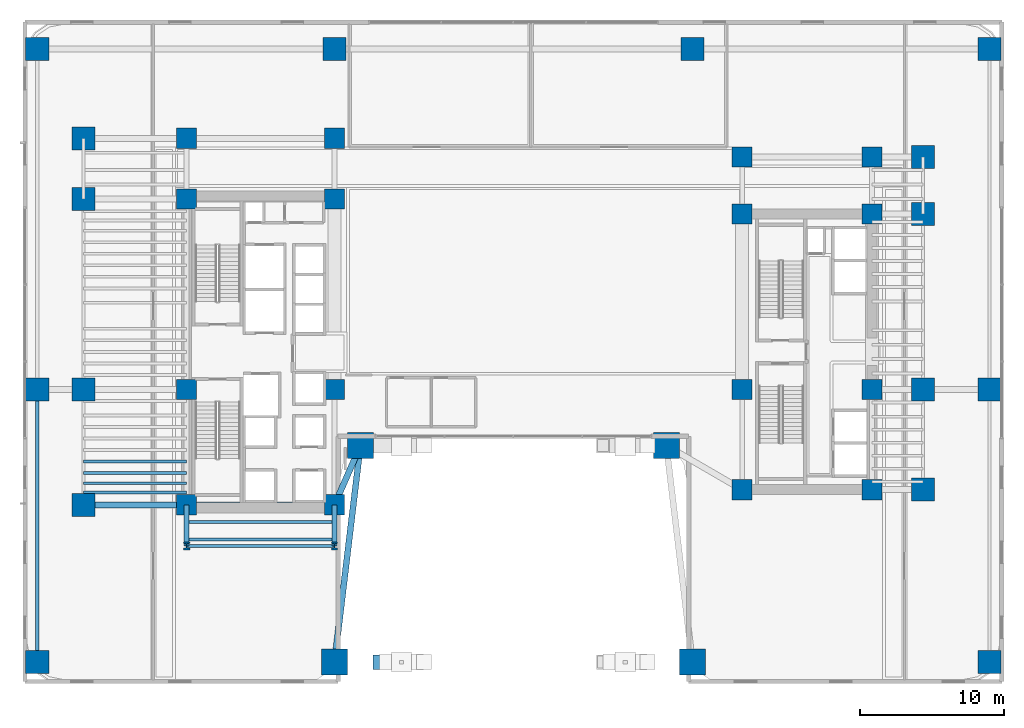
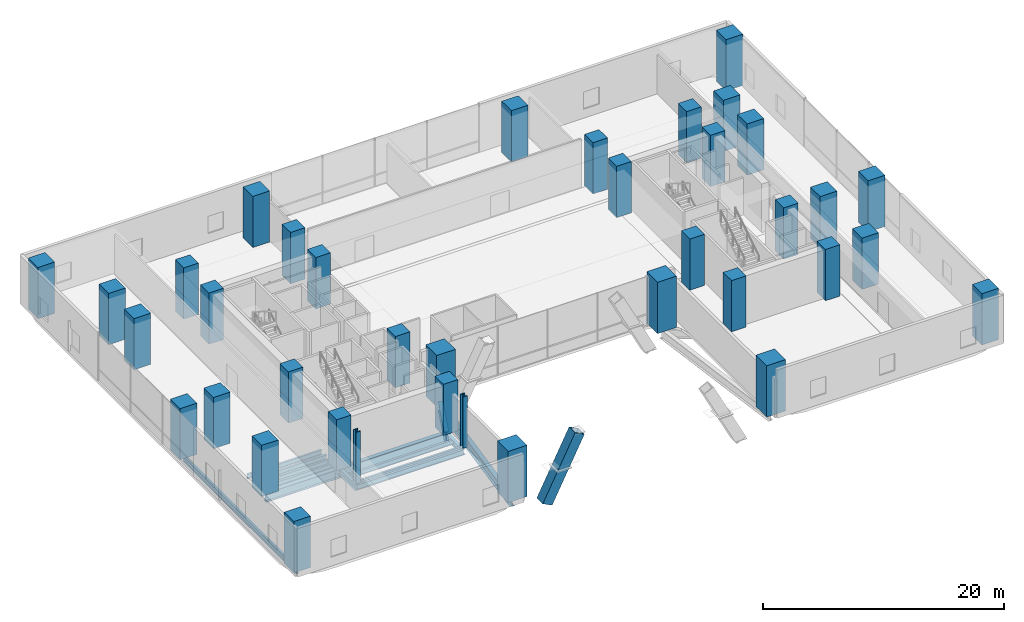
# One storey, part 1 of 39: 38 columns, 14 beams, 1 member.
"""IFC4 building model written with IfcOpenShell, lengths in metres."""

from ifc_helpers import new_model, si_unit, direction, frame, origin, origin_2d, place, context, subcontext, project, spatial, rectangle, hollow_rectangle, i_section, extrude, source, transform, mapped, material, material_profile, profile_set, type_object, element, save


model = new_model("IFC4")

# Units and contexts
model_context = context("Model", 3, precision=1e-05, world=origin(), true_north=direction((0.0, 1.0)))
body_context = subcontext(model_context, "Body", "Model", "MODEL_VIEW")
ifc_project = project(units=[si_unit("LENGTHUNIT", "METRE"), si_unit("AREAUNIT", "SQUARE_METRE"), si_unit("VOLUMEUNIT", "CUBIC_METRE"), si_unit("PLANEANGLEUNIT", "RADIAN"), si_unit("MASSUNIT", "GRAM", prefix="KILO")], contexts=[model_context])

# Site, building, storey
site_placement = place(None, origin())
site = spatial("IfcSite", under=ifc_project, at=site_placement, CompositionType="ELEMENT")
building_placement = place(site_placement, origin())
building = spatial("IfcBuilding", under=site, at=building_placement, Name="Valdorenza Pilgrim Sanctuary Tower", CompositionType="ELEMENT")
storey_placement = place(building_placement, frame((0.0, 0.0, 10.39990234375)))
storey = spatial("IfcBuildingStorey", under=building, at=storey_placement, Name="L02", CompositionType="ELEMENT", Elevation=10.39990234375)

# Columns
ifc_material_1 = material(Name="Concrete C60/75", Category="concrete")
ifc_material_profile_1 = material_profile(ifc_material_1, rectangle(XDim=1.60009765625, YDim=1.60009765625, at=origin_2d()), Name="RC 1600x1600")
ifc_profile_set_1 = profile_set([ifc_material_profile_1], Name="Concrete C60/75")
column_type_1 = type_object("IfcColumnType", Name="COL-POD-1600", PredefinedType="COLUMN", material=ifc_profile_set_1)
shared_shape_1 = source(origin(), body_context, "Body", "SweptSolid", [
    extrude(rectangle(XDim=1.60009765625, YDim=1.60009765625, at=origin_2d()), origin(), (0.0, 0.0, 1.0), 5.2001953125),
])
for number, where, z_axis, x_axis, name in (
    (1, (-29.800048828125, -10.60009765625, 0.0), (0.0, 0.0, 1.0), (1.0, 0.0, 0.0), "L02 Perimeter Column WA-W-S1"),
    (2, (-29.800048828125, -2.60009765625, 0.0), (0.0, 0.0, 1.0), (1.0, 0.0, 0.0), "L02 Perimeter Column WA-W-M0"),
    (3, (-29.800048828125, 10.60009765625, 0.0), (0.0, 0.0, 1.0), (1.0, 0.0, 0.0), "L02 Perimeter Column WA-W-N1"),
    (4, (-29.800048828125, 14.800048828125, 0.0), (0.0, 0.0, 1.0), (1.0, 0.0, 0.0), "L02 Perimeter Column WA-W-N2"),
    (5, (28.39990234375, -9.550048828125, 0.0), (0.0, 0.0, 1.0), (1.0, 0.0, 0.0), "L02 Perimeter Column WB-E-S1"),
    (6, (28.39990234375, -2.60009765625, 0.0), (0.0, 0.0, 1.0), (1.0, 0.0, 0.0), "L02 Perimeter Column WB-E-M0"),
    (7, (28.39990234375, 9.550048828125, 0.0), (0.0, 0.0, 1.0), (1.0, 0.0, 0.0), "L02 Perimeter Column WB-E-N1"),
    (8, (28.39990234375, 13.5, 0.0), (0.0, 0.0, 1.0), (1.0, 0.0, 0.0), "L02 Perimeter Column WB-E-N2"),
    (9, (-33.0, -21.5, 0.0), (0.0, 0.0, 1.0), (1.0, 0.0, 0.0), "L02 Perimeter Column POD-SW"),
    (10, (-33.0, -2.60009765625, 0.0), (0.0, 0.0, 1.0), (1.0, 0.0, 0.0), "L02 Perimeter Column POD-MW"),
    (11, (-33.0, 21.0, 0.0), (0.0, 0.0, 1.0), (1.0, 0.0, 0.0), "L02 Perimeter Column POD-NW"),
    (12, (-12.39990234375, 21.0, 0.0), (0.0, 0.0, 1.0), (1.0, 0.0, 0.0), "L02 Perimeter Column POD-NCW"),
    (13, (12.39990234375, 21.0, 0.0), (0.0, 0.0, 1.0), (1.0, 0.0, 0.0), "L02 Perimeter Column POD-NCE"),
    (14, (33.0, 21.0, 0.0), (0.0, 0.0, 1.0), (1.0, 0.0, 0.0), "L02 Perimeter Column POD-NE"),
    (15, (33.0, -2.60009765625, 0.0), (0.0, 0.0, 1.0), (1.0, 0.0, 0.0), "L02 Perimeter Column POD-ME"),
    (16, (33.0, -21.5, 0.0), (0.0, 0.0, 1.0), (1.0, 0.0, 0.0), "L02 Perimeter Column POD-SE"),
):
    element("IfcColumn", number, at=place(storey_placement, frame(where, z_axis=z_axis, x_axis=x_axis)), inside=storey, type_object=column_type_1, Name=name, PredefinedType="COLUMN", context=body_context, shape_type="MappedRepresentation", body=[
        mapped(shared_shape_1, transform((0.0, 0.0, 0.0), x_axis=(1.0, 0.0, 0.0), y_axis=(0.0, 1.0, 0.0), z_axis=(0.0, 0.0, 1.0), scale=1.0)),
    ])
ifc_material_profile_2 = material_profile(ifc_material_1, rectangle(XDim=1.39990234375, YDim=1.39990234375, at=origin_2d()), Name="RC 1400x1400")
ifc_profile_set_2 = profile_set([ifc_material_profile_2], Name="Concrete C60/75")
column_type_2 = type_object("IfcColumnType", Name="COL-Z1-1400", PredefinedType="COLUMN", material=ifc_profile_set_2)
shared_shape_2 = source(origin(), body_context, "Body", "SweptSolid", [
    extrude(rectangle(XDim=1.39990234375, YDim=1.39990234375, at=origin_2d()), origin(), (0.0, 0.0, 1.0), 5.2001953125),
])
for number, where, z_axis, x_axis, name in (
    (17, (-22.64990234375, -10.60009765625, 0.0), (0.0, 0.0, 1.0), (1.0, 0.0, 0.0), "L02 Column CA-W-S1"),
    (18, (-12.39990234375, -10.60009765625, 0.0), (0.0, 0.0, 1.0), (1.0, 0.0, 0.0), "L02 Column CA-E-S1"),
    (19, (-22.64990234375, -2.60009765625, 0.0), (0.0, 0.0, 1.0), (1.0, 0.0, 0.0), "L02 Column CA-W-M0"),
    (20, (-12.39990234375, -2.60009765625, 0.0), (0.0, 0.0, 1.0), (1.0, 0.0, 0.0), "L02 Column CA-E-M0"),
    (21, (-22.64990234375, 10.60009765625, 0.0), (0.0, 0.0, 1.0), (1.0, 0.0, 0.0), "L02 Column CA-W-N1"),
    (22, (-12.39990234375, 10.60009765625, 0.0), (0.0, 0.0, 1.0), (1.0, 0.0, 0.0), "L02 Column CA-E-N1"),
    (23, (-22.64990234375, 14.800048828125, 0.0), (0.0, 0.0, 1.0), (1.0, 0.0, 0.0), "L02 Column CA-W-N2"),
    (24, (-12.39990234375, 14.800048828125, 0.0), (0.0, 0.0, 1.0), (1.0, 0.0, 0.0), "L02 Column CA-E-N2"),
    (25, (15.85009765625, -9.550048828125, 0.0), (0.0, 0.0, 1.0), (1.0, 0.0, 0.0), "L02 Column CB-W-S1"),
    (26, (24.85009765625, -9.550048828125, 0.0), (0.0, 0.0, 1.0), (1.0, 0.0, 0.0), "L02 Column CB-E-S1"),
    (27, (15.85009765625, -2.60009765625, 0.0), (0.0, 0.0, 1.0), (1.0, 0.0, 0.0), "L02 Column CB-W-M0"),
    (28, (24.85009765625, -2.60009765625, 0.0), (0.0, 0.0, 1.0), (1.0, 0.0, 0.0), "L02 Column CB-E-M0"),
    (29, (15.85009765625, 9.550048828125, 0.0), (0.0, 0.0, 1.0), (1.0, 0.0, 0.0), "L02 Column CB-W-N1"),
    (30, (24.85009765625, 9.550048828125, 0.0), (0.0, 0.0, 1.0), (1.0, 0.0, 0.0), "L02 Column CB-E-N1"),
    (31, (15.85009765625, 13.5, 0.0), (0.0, 0.0, 1.0), (1.0, 0.0, 0.0), "L02 Column CB-W-N2"),
    (32, (24.85009765625, 13.5, 0.0), (0.0, 0.0, 1.0), (1.0, 0.0, 0.0), "L02 Column CB-E-N2"),
):
    element("IfcColumn", number, at=place(storey_placement, frame(where, z_axis=z_axis, x_axis=x_axis)), inside=storey, type_object=column_type_2, Name=name, PredefinedType="COLUMN", context=body_context, shape_type="MappedRepresentation", body=[
        mapped(shared_shape_2, transform((0.0, 0.0, 0.0), x_axis=(1.0, 0.0, 0.0), y_axis=(0.0, 1.0, 0.0), z_axis=(0.0, 0.0, 1.0), scale=1.0)),
    ])
ifc_material_2 = material(Name="Steel ASTM A992 Grade 50", Category="steel")
ifc_material_profile_3 = material_profile(ifc_material_2, i_section(OverallWidth=0.44189453125, OverallDepth=0.531005859375, WebThickness=0.06591796875, FlangeThickness=0.105712890625, at=origin_2d()), Name="W14X605")
ifc_profile_set_3 = profile_set([ifc_material_profile_3], Name="Steel ASTM A992 Grade 50")
column_type_3 = type_object("IfcColumnType", Name="COL-STL-W605", PredefinedType="COLUMN", material=ifc_profile_set_3)
shared_shape_3 = source(origin(), body_context, "Body", "SweptSolid", [
    extrude(i_section(OverallWidth=0.44189453125, OverallDepth=0.531005859375, WebThickness=0.06591796875, FlangeThickness=0.105712890625, at=origin_2d()), origin(), (0.0, 0.0, 1.0), 5.2001953125),
])
for number, where, z_axis, x_axis, name in (
    (33, (-22.64990234375, -13.449951171875, 0.0), (0.0, 0.0, 1.0), (1.0, 0.0, 0.0), "L02 Column WA-S-W"),
    (34, (-12.39990234375, -13.449951171875, 0.0), (0.0, 0.0, 1.0), (1.0, 0.0, 0.0), "L02 Column WA-S-E"),
):
    element("IfcColumn", number, at=place(storey_placement, frame(where, z_axis=z_axis, x_axis=x_axis)), inside=storey, type_object=column_type_3, Name=name, PredefinedType="COLUMN", context=body_context, shape_type="MappedRepresentation", body=[
        mapped(shared_shape_3, transform((0.0, 0.0, 0.0), x_axis=(1.0, 0.0, 0.0), y_axis=(0.0, 1.0, 0.0), z_axis=(0.0, 0.0, 1.0), scale=1.0)),
    ])
ifc_material_profile_4 = material_profile(ifc_material_1, rectangle(XDim=1.800048828125, YDim=1.800048828125, at=origin_2d()), Name="RC 1800x1800")
ifc_profile_set_4 = profile_set([ifc_material_profile_4], Name="Concrete C60/75")
column_type_4 = type_object("IfcColumnType", Name="COL-ARCH-1800", PredefinedType="COLUMN", material=ifc_profile_set_4)
shared_shape_4 = source(origin(), body_context, "Body", "SweptSolid", [
    extrude(rectangle(XDim=1.800048828125, YDim=1.800048828125, at=origin_2d()), origin(), (0.0, 0.0, 1.0), 5.2001953125),
])
for number, where, z_axis, x_axis, name in (
    (35, (-12.39990234375, -21.5, 0.0), (0.0, 0.0, 1.0), (1.0, 0.0, 0.0), "L02 Perimeter Column ARCH-PIER-SW"),
    (36, (-10.60009765625, -6.5, 0.0), (0.0, 0.0, 1.0), (1.0, 0.0, 0.0), "L02 Perimeter Column ARCH-PIER-NW"),
    (37, (12.39990234375, -21.5, 0.0), (0.0, 0.0, 1.0), (1.0, 0.0, 0.0), "L02 Perimeter Column ARCH-PIER-SE"),
    (38, (10.60009765625, -6.5, 0.0), (0.0, 0.0, 1.0), (1.0, 0.0, 0.0), "L02 Perimeter Column ARCH-PIER-NE"),
):
    element("IfcColumn", number, at=place(storey_placement, frame(where, z_axis=z_axis, x_axis=x_axis)), inside=storey, type_object=column_type_4, Name=name, PredefinedType="COLUMN", context=body_context, shape_type="MappedRepresentation", body=[
        mapped(shared_shape_4, transform((0.0, 0.0, 0.0), x_axis=(1.0, 0.0, 0.0), y_axis=(0.0, 1.0, 0.0), z_axis=(0.0, 0.0, 1.0), scale=1.0)),
    ])

# Beams
ifc_material_profile_5 = material_profile(ifc_material_2, i_section(OverallWidth=0.423095703125, OverallDepth=0.947998046875, WebThickness=0.02392578125, FlangeThickness=0.042724609375, at=origin_2d()), Name="W36X302")
ifc_profile_set_5 = profile_set([ifc_material_profile_5], Name="Steel ASTM A992 Grade 50")
beam_type_1 = type_object("IfcBeamType", Name="STR-BM-GRD-W36A", PredefinedType="BEAM", material=ifc_profile_set_5)
shared_shape_5 = source(origin(), body_context, "Body", "SweptSolid", [
    extrude(i_section(OverallWidth=0.423095703125, OverallDepth=0.947998046875, WebThickness=0.02392578125, FlangeThickness=0.042724609375, at=origin_2d()), origin(), (0.0, 0.0, 1.0), 7.150146484375),
])
beam_1_placement = place(storey_placement, frame((-29.800048828125, -10.60009765625, -0.75390625), z_axis=(1.0, 0.0, 0.0), x_axis=(0.0, 1.0, 0.0)))
element("IfcBeam", 39, at=beam_1_placement, inside=storey, type_object=beam_type_1, Name="L02 Floor Girder WA-XW-S1", PredefinedType="BEAM", context=body_context, shape_type="MappedRepresentation", body=[
    mapped(shared_shape_5, transform((0.0, 0.0, 0.0), x_axis=(1.0, 0.0, 0.0), y_axis=(0.0, 1.0, 0.0), z_axis=(0.0, 0.0, 1.0), scale=1.0)),
])
shared_shape_6 = source(origin(), body_context, "Body", "SweptSolid", [
    extrude(i_section(OverallWidth=0.423095703125, OverallDepth=0.947998046875, WebThickness=0.02392578125, FlangeThickness=0.042724609375, at=origin_2d()), origin(), (0.0, 0.0, 1.0), 10.25),
])
beam_2_placement = place(storey_placement, frame((-22.64990234375, -10.60009765625, -0.75390625), z_axis=(1.0, 0.0, 0.0), x_axis=(0.0, 1.0, 0.0)))
element("IfcBeam", 40, at=beam_2_placement, inside=storey, type_object=beam_type_1, Name="L02 Floor Girder CA-XC-S1", PredefinedType="BEAM", context=body_context, shape_type="MappedRepresentation", body=[
    mapped(shared_shape_6, transform((0.0, 0.0, 0.0), x_axis=(1.0, 0.0, 0.0), y_axis=(0.0, 1.0, 0.0), z_axis=(0.0, 0.0, 1.0), scale=1.0)),
])
ifc_material_profile_6 = material_profile(ifc_material_2, i_section(OverallWidth=0.214111328125, OverallDepth=0.549072265625, WebThickness=0.0146484375, FlangeThickness=0.023681640625, at=origin_2d()), Name="W21X93")
ifc_profile_set_6 = profile_set([ifc_material_profile_6], Name="Steel ASTM A992 Grade 50")
beam_type_2 = type_object("IfcBeamType", Name="STR-BM-SPN-W21A", PredefinedType="SPANDREL", material=ifc_profile_set_6)
shared_shape_7 = source(origin(), body_context, "Body", "SweptSolid", [
    extrude(i_section(OverallWidth=0.214111328125, OverallDepth=0.549072265625, WebThickness=0.0146484375, FlangeThickness=0.023681640625, at=origin_2d()), origin(), (0.0, 0.0, 1.0), 10.25),
])
beam_3_placement = place(storey_placement, frame((-22.64990234375, -13.449951171875, -0.554443359375), z_axis=(1.0, 0.0, 0.0), x_axis=(0.0, 1.0, 0.0)))
element("IfcBeam", 41, at=beam_3_placement, inside=storey, type_object=beam_type_2, Name="L02 South Spandrel WA-S-TIE", PredefinedType="SPANDREL", context=body_context, shape_type="MappedRepresentation", body=[
    mapped(shared_shape_7, transform((0.0, 0.0, 0.0), x_axis=(1.0, 0.0, 0.0), y_axis=(0.0, 1.0, 0.0), z_axis=(0.0, 0.0, 1.0), scale=1.0)),
])
ifc_material_profile_7 = material_profile(ifc_material_2, i_section(OverallWidth=0.323974609375, OverallDepth=0.611083984375, WebThickness=0.0126953125, FlangeThickness=0.01904296875, at=origin_2d()), Name="W24X104")
ifc_profile_set_7 = profile_set([ifc_material_profile_7], Name="Steel ASTM A992 Grade 50")
beam_type_3 = type_object("IfcBeamType", Name="STR-BM-GRD-W24B", PredefinedType="BEAM", material=ifc_profile_set_7)
shared_shape_8 = source(origin(), body_context, "Body", "SweptSolid", [
    extrude(i_section(OverallWidth=0.323974609375, OverallDepth=0.611083984375, WebThickness=0.0126953125, FlangeThickness=0.01904296875, at=origin_2d()), origin(), (0.0, 0.0, 1.0), 2.849853515625),
])
for number, where, z_axis, x_axis, name in (
    (42, (-22.64990234375, -13.449951171875, -0.58544921875), (0.0, 1.0, 0.0), (-1.0, 0.0, 0.0), "L02 Floor Girder WA-S-LW"),
    (43, (-12.39990234375, -13.449951171875, -0.58544921875), (0.0, 1.0, 0.0), (-1.0, 0.0, 0.0), "L02 Floor Girder WA-S-LE"),
):
    element("IfcBeam", number, at=place(storey_placement, frame(where, z_axis=z_axis, x_axis=x_axis)), inside=storey, type_object=beam_type_3, Name=name, PredefinedType="BEAM", context=body_context, shape_type="MappedRepresentation", body=[
        mapped(shared_shape_8, transform((0.0, 0.0, 0.0), x_axis=(1.0, 0.0, 0.0), y_axis=(0.0, 1.0, 0.0), z_axis=(0.0, 0.0, 1.0), scale=1.0)),
    ])
ifc_material_profile_8 = material_profile(ifc_material_2, i_section(OverallWidth=0.193115234375, OverallDepth=0.466064453125, WebThickness=0.011474609375, FlangeThickness=0.01904296875, at=origin_2d()), Name="W18X65")
ifc_profile_set_8 = profile_set([ifc_material_profile_8], Name="Steel ASTM A992 Grade 50")
beam_type_4 = type_object("IfcBeamType", Name="STR-BM-JST-W18A", PredefinedType="JOIST", material=ifc_profile_set_8)
shared_shape_9 = source(origin(), body_context, "Body", "SweptSolid", [
    extrude(i_section(OverallWidth=0.193115234375, OverallDepth=0.466064453125, WebThickness=0.011474609375, FlangeThickness=0.01904296875, at=origin_2d()), origin(), (0.0, 0.0, 1.0), 10.25),
])
for number, where, z_axis, x_axis, name in (
    (44, (-22.64990234375, -13.0, -0.512939453125), (1.0, 0.0, 0.0), (0.0, 1.0, 0.0), "L02 Composite Floor Joist JST-WAS-1"),
    (45, (-22.64990234375, -11.800048828125, -0.512939453125), (1.0, 0.0, 0.0), (0.0, 1.0, 0.0), "L02 Composite Floor Joist JST-WAS-2"),
):
    element("IfcBeam", number, at=place(storey_placement, frame(where, z_axis=z_axis, x_axis=x_axis)), inside=storey, type_object=beam_type_4, Name=name, PredefinedType="JOIST", context=body_context, shape_type="MappedRepresentation", body=[
        mapped(shared_shape_9, transform((0.0, 0.0, 0.0), x_axis=(1.0, 0.0, 0.0), y_axis=(0.0, 1.0, 0.0), z_axis=(0.0, 0.0, 1.0), scale=1.0)),
    ])
shared_shape_10 = source(origin(), body_context, "Body", "SweptSolid", [
    extrude(i_section(OverallWidth=0.193115234375, OverallDepth=0.466064453125, WebThickness=0.011474609375, FlangeThickness=0.01904296875, at=origin_2d()), origin(), (0.0, 0.0, 1.0), 7.150146484375),
])
for number, where, z_axis, x_axis, name in (
    (46, (-29.800048828125, -9.75, -0.512939453125), (1.0, 0.0, 0.0), (0.0, 1.0, 0.0), "L02 Composite Floor Joist JST-WA-1"),
    (47, (-29.800048828125, -9.10009765625, -0.512939453125), (1.0, 0.0, 0.0), (0.0, 1.0, 0.0), "L02 Composite Floor Joist JST-WA-2"),
    (48, (-29.800048828125, -8.39990234375, -0.512939453125), (1.0, 0.0, 0.0), (0.0, 1.0, 0.0), "L02 Composite Floor Joist JST-WA-3"),
    (49, (-29.800048828125, -7.60009765625, -0.512939453125), (1.0, 0.0, 0.0), (0.0, 1.0, 0.0), "L02 Composite Floor Joist JST-WA-4"),
):
    element("IfcBeam", number, at=place(storey_placement, frame(where, z_axis=z_axis, x_axis=x_axis)), inside=storey, type_object=beam_type_4, Name=name, PredefinedType="JOIST", context=body_context, shape_type="MappedRepresentation", body=[
        mapped(shared_shape_10, transform((0.0, 0.0, 0.0), x_axis=(1.0, 0.0, 0.0), y_axis=(0.0, 1.0, 0.0), z_axis=(0.0, 0.0, 1.0), scale=1.0)),
    ])
shared_shape_11 = source(origin(), body_context, "Body", "SweptSolid", [
    extrude(i_section(OverallWidth=0.214111328125, OverallDepth=0.549072265625, WebThickness=0.0146484375, FlangeThickness=0.023681640625, at=origin_2d()), origin(), (0.0, 0.0, 1.0), 18.89990234375),
])
beam_4_placement = place(storey_placement, frame((-33.0, -21.5, -0.554443359375), z_axis=(0.0, 1.0, 0.0), x_axis=(-1.0, 0.0, 0.0)))
element("IfcBeam", 50, at=beam_4_placement, inside=storey, type_object=beam_type_2, Name="L02 Floor Girder POD-SPN-WS", PredefinedType="SPANDREL", context=body_context, shape_type="MappedRepresentation", body=[
    mapped(shared_shape_11, transform((0.0, 0.0, 0.0), x_axis=(1.0, 0.0, 0.0), y_axis=(0.0, 1.0, 0.0), z_axis=(0.0, 0.0, 1.0), scale=1.0)),
])
shared_shape_12 = source(origin(), body_context, "Body", "SweptSolid", [
    extrude(i_section(OverallWidth=0.423095703125, OverallDepth=0.947998046875, WebThickness=0.02392578125, FlangeThickness=0.042724609375, at=origin_2d()), origin(), (0.0, 0.0, 1.0), 15.107666015625),
])
beam_5_placement = place(storey_placement, frame((-12.39990234375, -21.5, -0.75390625), z_axis=(0.119132476027, 0.992878367755, 0.0), x_axis=(-0.992878367755, 0.119132476027, 0.0)))
element("IfcBeam", 51, at=beam_5_placement, inside=storey, type_object=beam_type_1, Name="L02 Floor Girder POD-ARCH-W", PredefinedType="BEAM", context=body_context, shape_type="MappedRepresentation", body=[
    mapped(shared_shape_12, transform((0.0, 0.0, 0.0), x_axis=(1.0, 0.0, 0.0), y_axis=(0.0, 1.0, 0.0), z_axis=(0.0, 0.0, 1.0), scale=1.0)),
])
shared_shape_13 = source(origin(), body_context, "Body", "SweptSolid", [
    extrude(i_section(OverallWidth=0.423095703125, OverallDepth=0.947998046875, WebThickness=0.02392578125, FlangeThickness=0.042724609375, at=origin_2d()), origin(), (0.0, 0.0, 1.0), 4.477783203125),
])
beam_6_placement = place(storey_placement, frame((-10.60009765625, -6.5, -0.75390625), z_axis=(-0.40194546398, -0.91566360853, 0.0), x_axis=(0.91566360853, -0.40194546398, 0.0)))
element("IfcBeam", 52, at=beam_6_placement, inside=storey, type_object=beam_type_1, Name="L02 Floor Girder POD-ARCH-N", PredefinedType="BEAM", context=body_context, shape_type="MappedRepresentation", body=[
    mapped(shared_shape_13, transform((0.0, 0.0, 0.0), x_axis=(1.0, 0.0, 0.0), y_axis=(0.0, 1.0, 0.0), z_axis=(0.0, 0.0, 1.0), scale=1.0)),
])

# Member
ifc_material_3 = material(Name="Steel ASTM A572 Grade 42", Category="steel")
ifc_material_profile_9 = material_profile(ifc_material_3, hollow_rectangle(XDim=1.0, YDim=1.0, WallThickness=0.080078125, at=origin_2d()), Name="BOX 1000x1000x80")
ifc_profile_set_9 = profile_set([ifc_material_profile_9], Name="Steel ASTM A572 Grade 42")
member_type = type_object("IfcMemberType", Name="STR-MB-ARCH-RIB", PredefinedType="CHORD", material=ifc_profile_set_9)
shared_shape_14 = source(origin(), body_context, "Body", "SweptSolid", [
    extrude(hollow_rectangle(XDim=1.0, YDim=1.0, WallThickness=0.080078125, at=origin_2d()), origin(), (0.0, 0.0, 1.0), 6.86474609375),
])
member_placement = place(storey_placement, frame((-9.300048828125, -21.5, -1.824951171875), z_axis=(0.451589695297, 0.0, 0.892225726541), x_axis=(0.0, 1.0, 0.0)))
element("IfcMember", 53, at=member_placement, inside=storey, type_object=member_type, Name="Parabolic Portal Arch Rib SOUTH Seg 2", PredefinedType="CHORD", context=body_context, shape_type="MappedRepresentation", body=[
    mapped(shared_shape_14, transform((0.0, 0.0, 0.0), x_axis=(1.0, 0.0, 0.0), y_axis=(0.0, 1.0, 0.0), z_axis=(0.0, 0.0, 1.0), scale=1.0)),
])

save(model, "model.ifc")
